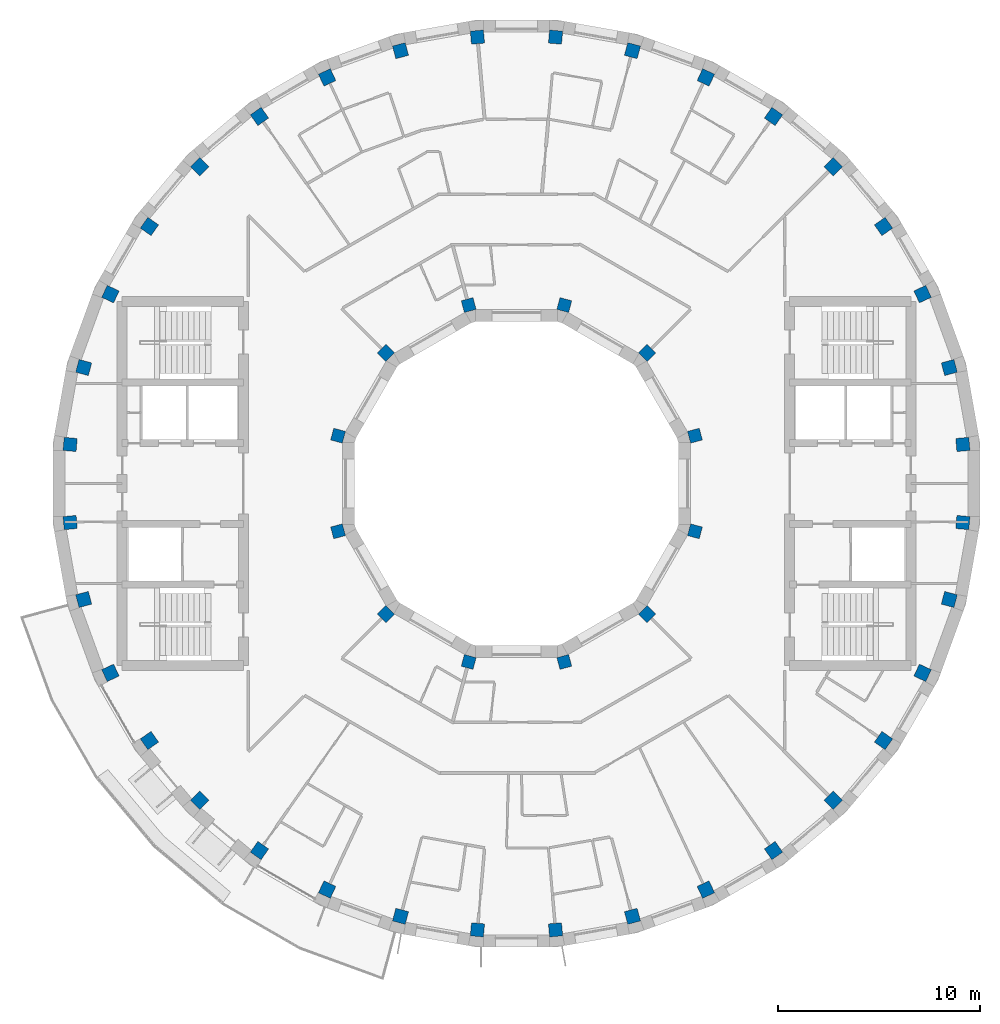
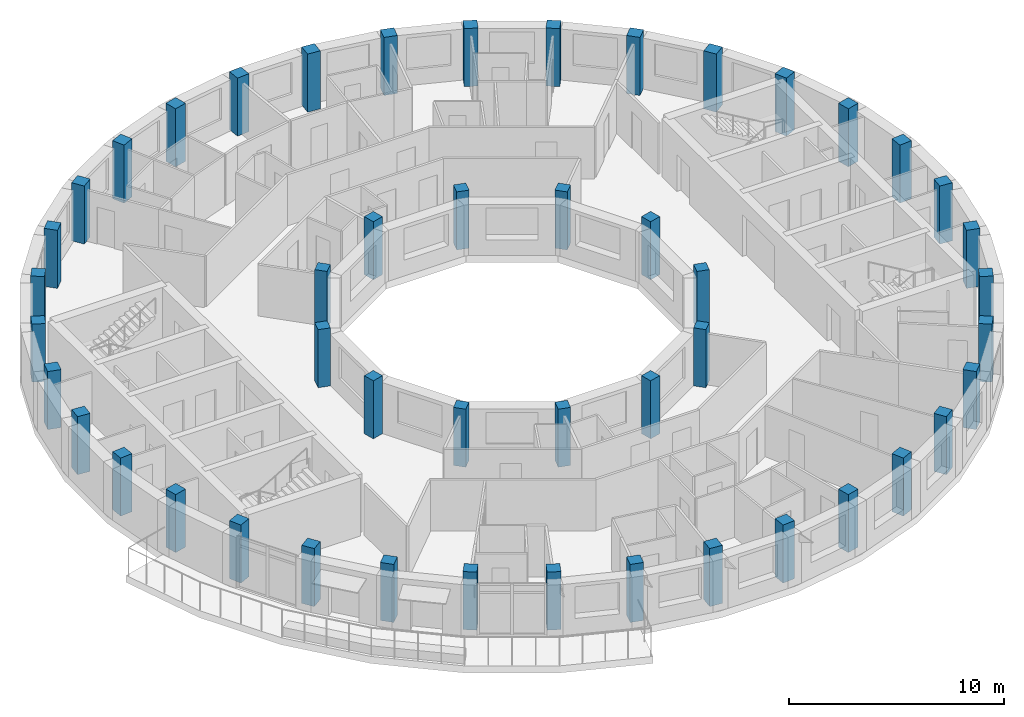
# One storey, part 1 of 12: 48 columns.
"""IFC4 building model written with IfcOpenShell, lengths in metres."""

from ifc_helpers import new_model, si_unit, direction, frame, origin, origin_2d, place, context, subcontext, project, spatial, rectangle, extrude, material, material_profile, profile_set, type_object, element, save


model = new_model("IFC4")

# Units and contexts
model_context = context("Model", 3, precision=1e-05, world=origin(), true_north=direction((0.0, 1.0)))
body_context = subcontext(model_context, "Body", "Model", "MODEL_VIEW")
ifc_project = project(units=[si_unit("LENGTHUNIT", "METRE"), si_unit("AREAUNIT", "SQUARE_METRE"), si_unit("VOLUMEUNIT", "CUBIC_METRE"), si_unit("PLANEANGLEUNIT", "RADIAN"), si_unit("MASSUNIT", "GRAM", prefix="KILO")], contexts=[model_context])

# Site, building, storey
site_placement = place(None, origin())
site = spatial("IfcSite", under=ifc_project, at=site_placement, CompositionType="ELEMENT")
building_placement = place(site_placement, origin())
building = spatial("IfcBuilding", under=site, at=building_placement, Name="Saqina Gate Tower", CompositionType="ELEMENT")
storey_placement = place(building_placement, frame((0.0, 0.0, 266.0)))
storey = spatial("IfcBuildingStorey", under=building, at=storey_placement, Name="L76", CompositionType="ELEMENT", Elevation=266.0)

# Columns
ifc_material_1 = material(Name="Concrete C60/75", Category="concrete")
ifc_material_profile_1 = material_profile(ifc_material_1, rectangle(XDim=0.60009765625, YDim=0.60009765625, at=origin_2d()), Name="RC 600x600")
ifc_profile_set_1 = profile_set([ifc_material_profile_1], Name="Concrete C60/75")
column_type_1 = type_object("IfcColumnType", Name="STR-COL-IN-D", PredefinedType="COLUMN", material=ifc_profile_set_1)
for number, where, z_axis, x_axis, name in (
    (1, (8.821044921875, 2.363525390625, 0.0), (0.0, 0.0, 1.0), (0.965925826289, 0.258819045103, 0.0), "L76-ICL01"),
    (2, (6.45751953125, 6.45751953125, 0.0), (0.0, 0.0, 1.0), (0.707106781187, 0.707106781187, 0.0), "L76-ICL02"),
    (3, (2.363525390625, 8.821044921875, 0.0), (0.0, 0.0, 1.0), (0.258819045103, 0.965925826289, 0.0), "L76-ICL03"),
    (4, (-2.363525390625, 8.821044921875, 0.0), (0.0, 0.0, 1.0), (-0.258819045103, 0.965925826289, 0.0), "L76-ICL04"),
    (5, (-6.45751953125, 6.45751953125, 0.0), (0.0, 0.0, 1.0), (-0.707106781187, 0.707106781187, 0.0), "L76-ICL05"),
    (6, (-8.821044921875, 2.363525390625, 0.0), (0.0, 0.0, 1.0), (-0.965925826289, 0.258819045103, 0.0), "L76-ICL06"),
    (7, (-8.821044921875, -2.363525390625, 0.0), (0.0, 0.0, 1.0), (-0.965925826289, -0.258819045103, 0.0), "L76-ICL07"),
    (8, (-6.45751953125, -6.45751953125, 0.0), (0.0, 0.0, 1.0), (-0.707106781187, -0.707106781187, 0.0), "L76-ICL08"),
    (9, (-2.363525390625, -8.821044921875, 0.0), (0.0, 0.0, 1.0), (-0.258819045103, -0.965925826289, 0.0), "L76-ICL09"),
    (10, (2.363525390625, -8.821044921875, 0.0), (0.0, 0.0, 1.0), (0.258819045103, -0.965925826289, 0.0), "L76-ICL10"),
    (11, (6.45751953125, -6.45751953125, 0.0), (0.0, 0.0, 1.0), (0.707106781187, -0.707106781187, 0.0), "L76-ICL11"),
    (12, (8.821044921875, -2.363525390625, 0.0), (0.0, 0.0, 1.0), (0.965925826289, -0.258819045103, 0.0), "L76-ICL12"),
):
    element("IfcColumn", number, at=place(storey_placement, frame(where, z_axis=z_axis, x_axis=x_axis)), inside=storey, type_object=column_type_1, Name=name, PredefinedType="COLUMN", context=body_context, shape_type="SweptSolid", body=[
        extrude(rectangle(XDim=0.60009765625, YDim=0.60009765625, at=origin_2d()), origin(), (0.0, 0.0, 1.0), 3.300048828125),
    ])
ifc_material_2 = material(Name="Concrete C60/75", Category="concrete")
ifc_material_profile_2 = material_profile(ifc_material_2, rectangle(XDim=0.64990234375, YDim=0.64990234375, at=origin_2d()), Name="RC 650x650")
ifc_profile_set_2 = profile_set([ifc_material_profile_2], Name="Concrete C60/75")
column_type_2 = type_object("IfcColumnType", Name="STR-COL-OUT-D", PredefinedType="COLUMN", material=ifc_profile_set_2)
for number, where, z_axis, x_axis, name in (
    (13, (22.065673828125, 1.930419921875, 0.0), (0.0, 0.0, 1.0), (0.996194698092, 0.087155742748, 0.0), "L76-COL01"),
    (14, (21.395263671875, 5.73291015625, 0.0), (0.0, 0.0, 1.0), (0.965925826289, 0.258819045103, 0.0), "L76-COL02"),
    (15, (20.07470703125, 9.361083984375, 0.0), (0.0, 0.0, 1.0), (0.906307787037, 0.422618261741, 0.0), "L76-COL03"),
    (16, (18.144287109375, 12.704833984375, 0.0), (0.0, 0.0, 1.0), (0.819152044289, 0.573576436351, 0.0), "L76-COL04"),
    (17, (15.662353515625, 15.662353515625, 0.0), (0.0, 0.0, 1.0), (0.707106781187, 0.707106781187, 0.0), "L76-COL05"),
    (18, (12.704833984375, 18.144287109375, 0.0), (0.0, 0.0, 1.0), (0.573576436351, 0.819152044289, 0.0), "L76-COL06"),
    (19, (9.361083984375, 20.07470703125, 0.0), (0.0, 0.0, 1.0), (0.422618261741, 0.906307787037, 0.0), "L76-COL07"),
    (20, (5.73291015625, 21.395263671875, 0.0), (0.0, 0.0, 1.0), (0.258819045103, 0.965925826289, 0.0), "L76-COL08"),
    (21, (1.930419921875, 22.065673828125, 0.0), (0.0, 0.0, 1.0), (0.087155742748, 0.996194698092, 0.0), "L76-COL09"),
    (22, (-1.930419921875, 22.065673828125, 0.0), (0.0, 0.0, 1.0), (-0.087155742748, 0.996194698092, 0.0), "L76-COL10"),
    (23, (-5.73291015625, 21.395263671875, 0.0), (0.0, 0.0, 1.0), (-0.258819045103, 0.965925826289, 0.0), "L76-COL11"),
    (24, (-9.361083984375, 20.07470703125, 0.0), (0.0, 0.0, 1.0), (-0.422618261741, 0.906307787037, 0.0), "L76-COL12"),
    (25, (-12.704833984375, 18.144287109375, 0.0), (0.0, 0.0, 1.0), (-0.573576436351, 0.819152044289, 0.0), "L76-COL13"),
    (26, (-15.662353515625, 15.662353515625, 0.0), (0.0, 0.0, 1.0), (-0.707106781187, 0.707106781187, 0.0), "L76-COL14"),
    (27, (-18.144287109375, 12.704833984375, 0.0), (0.0, 0.0, 1.0), (-0.819152044289, 0.573576436351, 0.0), "L76-COL15"),
    (28, (-20.07470703125, 9.361083984375, 0.0), (0.0, 0.0, 1.0), (-0.906307787037, 0.422618261741, 0.0), "L76-COL16"),
    (29, (-21.395263671875, 5.73291015625, 0.0), (0.0, 0.0, 1.0), (-0.965925826289, 0.258819045103, 0.0), "L76-COL17"),
    (30, (-22.065673828125, 1.930419921875, 0.0), (0.0, 0.0, 1.0), (-0.996194698092, 0.087155742748, 0.0), "L76-COL18"),
    (31, (-22.065673828125, -1.930419921875, 0.0), (0.0, 0.0, 1.0), (-0.996194698092, -0.087155742748, 0.0), "L76-COL19"),
    (32, (-21.395263671875, -5.73291015625, 0.0), (0.0, 0.0, 1.0), (-0.965925826289, -0.258819045103, 0.0), "L76-COL20"),
    (33, (-20.07470703125, -9.361083984375, 0.0), (0.0, 0.0, 1.0), (-0.906307787037, -0.422618261741, 0.0), "L76-COL21"),
    (34, (-18.144287109375, -12.704833984375, 0.0), (0.0, 0.0, 1.0), (-0.819152044289, -0.573576436351, 0.0), "L76-COL22"),
    (35, (-15.662353515625, -15.662353515625, 0.0), (0.0, 0.0, 1.0), (-0.707106781187, -0.707106781187, 0.0), "L76-COL23"),
    (36, (-12.704833984375, -18.144287109375, 0.0), (0.0, 0.0, 1.0), (-0.573576436351, -0.819152044289, 0.0), "L76-COL24"),
    (37, (-9.361083984375, -20.07470703125, 0.0), (0.0, 0.0, 1.0), (-0.422618261741, -0.906307787037, 0.0), "L76-COL25"),
    (38, (-5.73291015625, -21.395263671875, 0.0), (0.0, 0.0, 1.0), (-0.258819045103, -0.965925826289, 0.0), "L76-COL26"),
    (39, (-1.930419921875, -22.065673828125, 0.0), (0.0, 0.0, 1.0), (-0.087155742748, -0.996194698092, 0.0), "L76-COL27"),
    (40, (1.930419921875, -22.065673828125, 0.0), (0.0, 0.0, 1.0), (0.087155742748, -0.996194698092, 0.0), "L76-COL28"),
    (41, (5.73291015625, -21.395263671875, 0.0), (0.0, 0.0, 1.0), (0.258819045103, -0.965925826289, 0.0), "L76-COL29"),
    (42, (9.361083984375, -20.07470703125, 0.0), (0.0, 0.0, 1.0), (0.422618261741, -0.906307787037, 0.0), "L76-COL30"),
    (43, (12.704833984375, -18.144287109375, 0.0), (0.0, 0.0, 1.0), (0.573576436351, -0.819152044289, 0.0), "L76-COL31"),
    (44, (15.662353515625, -15.662353515625, 0.0), (0.0, 0.0, 1.0), (0.707106781187, -0.707106781187, 0.0), "L76-COL32"),
    (45, (18.144287109375, -12.704833984375, 0.0), (0.0, 0.0, 1.0), (0.819152044289, -0.573576436351, 0.0), "L76-COL33"),
    (46, (20.07470703125, -9.361083984375, 0.0), (0.0, 0.0, 1.0), (0.906307787037, -0.422618261741, 0.0), "L76-COL34"),
    (47, (21.395263671875, -5.73291015625, 0.0), (0.0, 0.0, 1.0), (0.965925826289, -0.258819045103, 0.0), "L76-COL35"),
    (48, (22.065673828125, -1.930419921875, 0.0), (0.0, 0.0, 1.0), (0.996194698092, -0.087155742748, 0.0), "L76-COL36"),
):
    element("IfcColumn", number, at=place(storey_placement, frame(where, z_axis=z_axis, x_axis=x_axis)), inside=storey, type_object=column_type_2, Name=name, PredefinedType="COLUMN", context=body_context, shape_type="SweptSolid", body=[
        extrude(rectangle(XDim=0.64990234375, YDim=0.64990234375, at=origin_2d()), origin(), (0.0, 0.0, 1.0), 3.300048828125),
    ])

save(model, "model.ifc")
